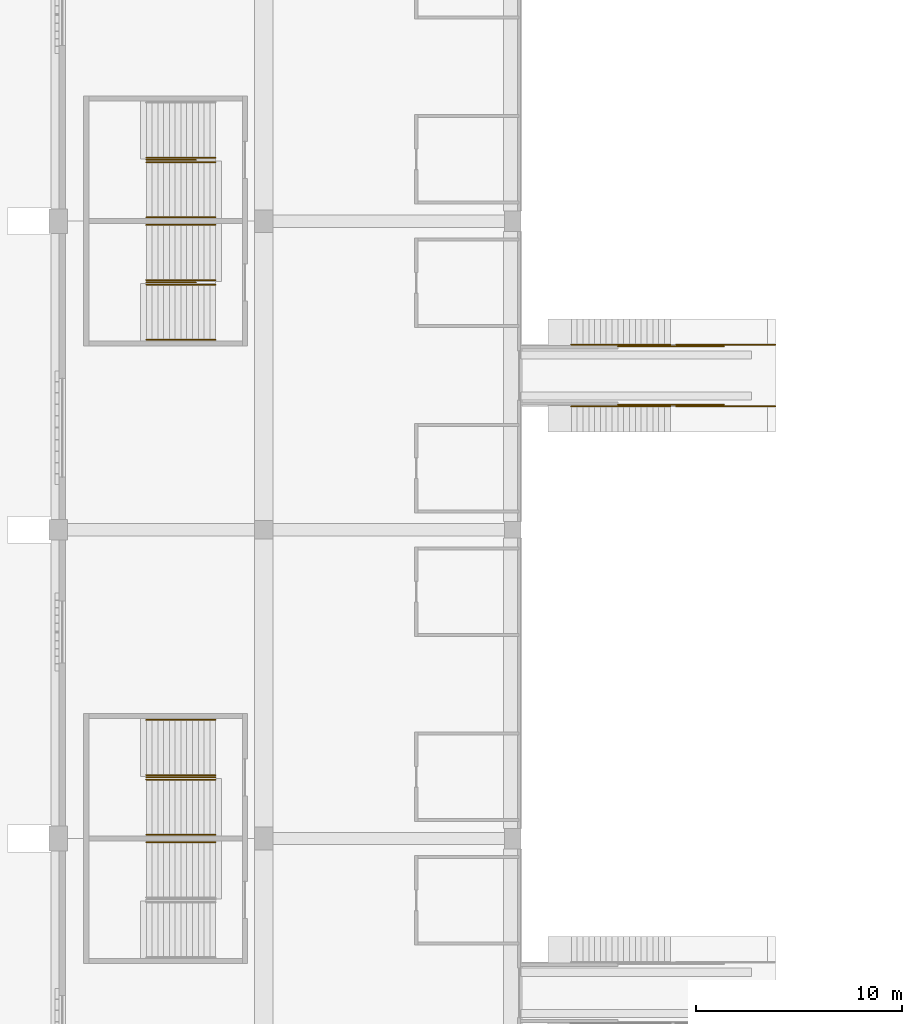
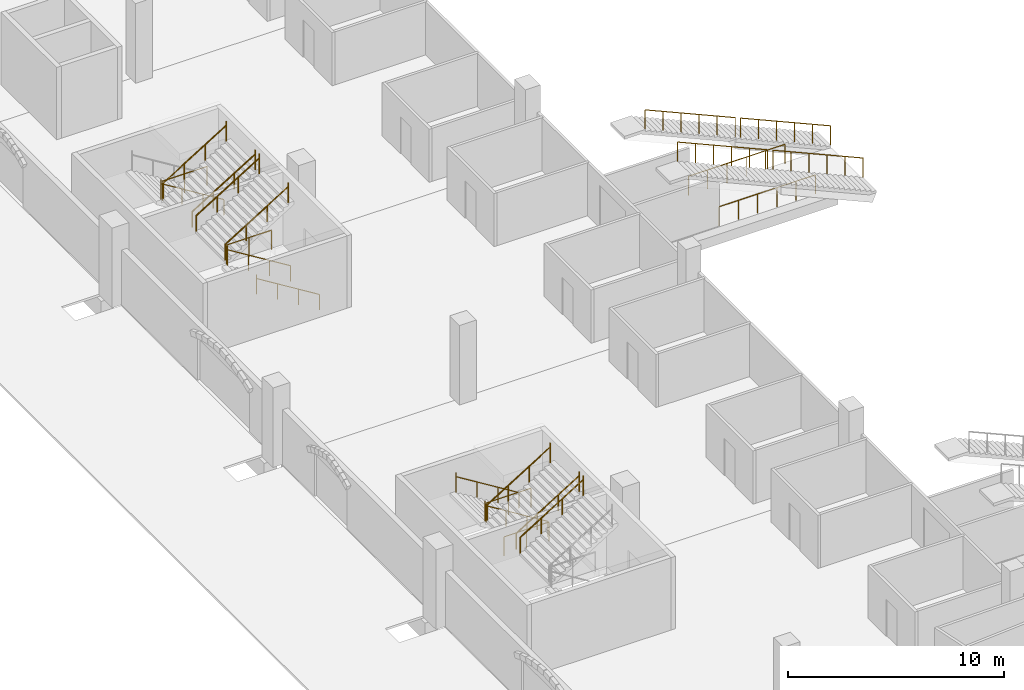
# One storey, part 157 of 175: 22 railings.
"""IFC4 building model written with IfcOpenShell, lengths in metres."""

from ifc_helpers import new_model, si_unit, direction, frame, origin, origin_2d, place, context, subcontext, project, spatial, circle, extrude, material, type_object, element, save


model = new_model("IFC4")

# Units and contexts
model_context = context("Model", 3, precision=1e-05, world=origin(), true_north=direction((0.0, 1.0)))
body_context = subcontext(model_context, "Body", "Model", "MODEL_VIEW")
ifc_project = project(units=[si_unit("LENGTHUNIT", "METRE"), si_unit("AREAUNIT", "SQUARE_METRE"), si_unit("VOLUMEUNIT", "CUBIC_METRE"), si_unit("PLANEANGLEUNIT", "RADIAN"), si_unit("MASSUNIT", "GRAM", prefix="KILO")], contexts=[model_context])

# Site, building, storey
site_placement = place(None, origin())
site = spatial("IfcSite", under=ifc_project, at=site_placement, CompositionType="ELEMENT")
building_placement = place(site_placement, origin())
building = spatial("IfcBuilding", under=site, at=building_placement, Name="Ogive Plaza Stadium", CompositionType="ELEMENT")
storey_placement = place(building_placement, origin())
storey = spatial("IfcBuildingStorey", under=building, at=storey_placement, Name="L00", CompositionType="ELEMENT", Elevation=0.0)

# Railings
ifc_material_1 = material(Name="Steel ASTM A572 Grade 50", Category="steel")
railing_type_1 = type_object("IfcRailingType", Name="Guard 1100", PredefinedType="GUARDRAIL", material=ifc_material_1)
for number, where, name in (
    (1, (-76.35009765625, -34.52490234375, 0.0), "Stair well guard ST22A L00"),
    (2, (-77.31005859375, -34.52490234375, 2.25), "Stair well guard ST22A L00"),
    (3, (-77.31005859375, -4.52490234375, 2.25), "Stair well guard ST24A L00"),
    (4, (-77.31005859375, -10.47509765625, 2.25), "Stair well guard ST24B L00"),
):
    element("IfcRailing", number, at=place(storey_placement, frame(where)), inside=storey, type_object=railing_type_1, Name=name, PredefinedType="GUARDRAIL", context=body_context, shape_type="SweptSolid", body=[
        extrude(circle(Radius=0.02392578125, at=origin_2d()), frame((0.0, 0.0, 1.076171875), z_axis=(-1.0, 0.0, 0.0), x_axis=(0.0, -1.0, 0.0)), (0.0, 0.0, 1.0), 2.39990234375),
        extrude(circle(Radius=0.02099609375, at=origin_2d()), origin(), (0.0, 0.0, 1.0), 1.052001953125),
        extrude(circle(Radius=0.02099609375, at=origin_2d()), frame((-1.199951171875, 0.0, 0.0)), (0.0, 0.0, 1.0), 1.052001953125),
        extrude(circle(Radius=0.02099609375, at=origin_2d()), frame((-2.39990234375, 0.0, 0.0)), (0.0, 0.0, 1.0), 1.052001953125),
    ])
for number, where, name in (
    (5, (-49.14990234375, -13.5, 0.125), "Vomitory guard B23"),
    (6, (-54.25, -13.5, 2.375), "Vomitory guard B23"),
    (7, (-49.14990234375, -16.5, 0.125), "Vomitory guard B23"),
    (8, (-54.25, -16.5, 2.375), "Vomitory guard B23"),
):
    element("IfcRailing", number, at=place(storey_placement, frame(where)), inside=storey, type_object=railing_type_1, Name=name, PredefinedType="GUARDRAIL", context=body_context, shape_type="SweptSolid", body=[
        extrude(circle(Radius=0.02392578125, at=origin_2d()), frame((0.0, 0.0, 1.076171875), z_axis=(-0.914917297869, 0.0, 0.403641348302), x_axis=(0.0, -1.0, 0.0)), (0.0, 0.0, 1.0), 5.2646484375),
        extrude(circle(Radius=0.02099609375, at=origin_2d()), origin(), (0.0, 0.0, 1.0), 1.052001953125),
        extrude(circle(Radius=0.02099609375, at=origin_2d()), frame((-0.96337890625, 0.0, 0.425048828125)), (0.0, 0.0, 1.0), 1.052001953125),
        extrude(circle(Radius=0.02099609375, at=origin_2d()), frame((-1.9267578125, 0.0, 0.85009765625)), (0.0, 0.0, 1.0), 1.052001953125),
        extrude(circle(Radius=0.02099609375, at=origin_2d()), frame((-2.889892578125, 0.0, 1.27490234375)), (0.0, 0.0, 1.0), 1.052001953125),
        extrude(circle(Radius=0.02099609375, at=origin_2d()), frame((-3.853271484375, 0.0, 1.699951171875)), (0.0, 0.0, 1.0), 1.052001953125),
        extrude(circle(Radius=0.02099609375, at=origin_2d()), frame((-4.816650390625, 0.0, 2.125)), (0.0, 0.0, 1.0), 1.052001953125),
    ])
for number, where, name in (
    (9, (-51.643310546875, -13.580078125, 0.0), "Vomitory edge guard B23"),
    (10, (-51.643310546875, -16.419921875, 0.0), "Vomitory edge guard B23"),
):
    element("IfcRailing", number, at=place(storey_placement, frame(where)), inside=storey, type_object=railing_type_1, Name=name, PredefinedType="GUARDRAIL", context=body_context, shape_type="SweptSolid", body=[
        extrude(circle(Radius=0.02392578125, at=origin_2d()), frame((0.0, 0.0, 1.076171875), z_axis=(-1.0, 0.0, 0.0), x_axis=(0.0, -1.0, 0.0)), (0.0, 0.0, 1.0), 5.15673828125),
        extrude(circle(Radius=0.02099609375, at=origin_2d()), origin(), (0.0, 0.0, 1.0), 1.052001953125),
        extrude(circle(Radius=0.02099609375, at=origin_2d()), frame((-1.03125, 0.0, 0.0)), (0.0, 0.0, 1.0), 1.052001953125),
        extrude(circle(Radius=0.02099609375, at=origin_2d()), frame((-2.062744140625, 0.0, 0.0)), (0.0, 0.0, 1.0), 1.052001953125),
        extrude(circle(Radius=0.02099609375, at=origin_2d()), frame((-3.093994140625, 0.0, 0.0)), (0.0, 0.0, 1.0), 1.052001953125),
        extrude(circle(Radius=0.02099609375, at=origin_2d()), frame((-4.12548828125, 0.0, 0.0)), (0.0, 0.0, 1.0), 1.052001953125),
        extrude(circle(Radius=0.02099609375, at=origin_2d()), frame((-5.15673828125, 0.0, 0.0)), (0.0, 0.0, 1.0), 1.052001953125),
    ])
ifc_material_2 = material(Name="Steel ASTM A572 Grade 50", Category="steel")
railing_type_2 = type_object("IfcRailingType", Name="Handrail 900", PredefinedType="HANDRAIL", material=ifc_material_2)
for number, where, name in (
    (11, (-76.35009765625, -31.735107421875, 0.173095703125), "Handrail ST22A L00"),
    (12, (-76.35009765625, -34.4150390625, 0.173095703125), "Handrail ST22A L00"),
):
    element("IfcRailing", number, at=place(storey_placement, frame(where)), inside=storey, type_object=railing_type_2, Name=name, PredefinedType="HANDRAIL", context=body_context, shape_type="SweptSolid", body=[
        extrude(circle(Radius=0.02392578125, at=origin_2d()), frame((0.0, 0.0, 0.8759765625), z_axis=(-0.850606129759, 0.0, 0.525803396734), x_axis=(0.0, -1.0, 0.0)), (0.0, 0.0, 1.0), 3.949951171875),
        extrude(circle(Radius=0.02099609375, at=origin_2d()), origin(), (0.0, 0.0, 1.0), 0.851806640625),
        extrude(circle(Radius=0.02099609375, at=origin_2d()), frame((-1.119873046875, 0.0, 0.6923828125)), (0.0, 0.0, 1.0), 0.851806640625),
        extrude(circle(Radius=0.02099609375, at=origin_2d()), frame((-2.239990234375, 0.0, 1.384521484375)), (0.0, 0.0, 1.0), 0.851806640625),
        extrude(circle(Radius=0.02099609375, at=origin_2d()), frame((-3.35986328125, 0.0, 2.076904296875)), (0.0, 0.0, 1.0), 1.10009765625),
    ])
for number, where, name in (
    (13, (-79.7099609375, -34.635009765625, 2.423095703125), "Handrail ST22A L00"),
    (14, (-79.7099609375, -37.31494140625, 2.423095703125), "Handrail ST22A L00"),
    (15, (-79.7099609375, -37.68505859375, 2.423095703125), "Handrail ST22B L00"),
):
    element("IfcRailing", number, at=place(storey_placement, frame(where)), inside=storey, type_object=railing_type_2, Name=name, PredefinedType="HANDRAIL", context=body_context, shape_type="SweptSolid", body=[
        extrude(circle(Radius=0.02392578125, at=origin_2d()), frame((0.0, 0.0, 0.8759765625), z_axis=(0.850606129759, 0.0, 0.525803396734), x_axis=(0.0, 1.0, 0.0)), (0.0, 0.0, 1.0), 3.949951171875),
        extrude(circle(Radius=0.02099609375, at=origin_2d()), origin(), (0.0, 0.0, 1.0), 0.851806640625),
        extrude(circle(Radius=0.02099609375, at=origin_2d()), frame((1.119873046875, 0.0, 0.6923828125)), (0.0, 0.0, 1.0), 0.851806640625),
        extrude(circle(Radius=0.02099609375, at=origin_2d()), frame((2.239990234375, 0.0, 1.384521484375)), (0.0, 0.0, 1.0), 0.851806640625),
        extrude(circle(Radius=0.02099609375, at=origin_2d()), frame((3.35986328125, 0.0, 2.076904296875)), (0.0, 0.0, 1.0), 1.10009765625),
    ])
railing_placement = place(storey_placement, frame((-76.35009765625, -4.4150390625, 0.173095703125)))
element("IfcRailing", 16, at=railing_placement, inside=storey, type_object=railing_type_2, Name="Handrail ST24A L00", PredefinedType="HANDRAIL", context=body_context, shape_type="SweptSolid", body=[
    extrude(circle(Radius=0.02392578125, at=origin_2d()), frame((0.0, 0.0, 0.8759765625), z_axis=(-0.850606129759, 0.0, 0.525803396734), x_axis=(0.0, -1.0, 0.0)), (0.0, 0.0, 1.0), 3.949951171875),
    extrude(circle(Radius=0.02099609375, at=origin_2d()), origin(), (0.0, 0.0, 1.0), 0.851806640625),
    extrude(circle(Radius=0.02099609375, at=origin_2d()), frame((-1.119873046875, 0.0, 0.6923828125)), (0.0, 0.0, 1.0), 0.851806640625),
    extrude(circle(Radius=0.02099609375, at=origin_2d()), frame((-2.239990234375, 0.0, 1.384521484375)), (0.0, 0.0, 1.0), 0.851806640625),
    extrude(circle(Radius=0.02099609375, at=origin_2d()), frame((-3.35986328125, 0.0, 2.076904296875)), (0.0, 0.0, 1.0), 1.10009765625),
])
for number, where, name in (
    (17, (-79.7099609375, -4.635009765625, 2.423095703125), "Handrail ST24A L00"),
    (18, (-79.7099609375, -7.31494140625, 2.423095703125), "Handrail ST24A L00"),
):
    element("IfcRailing", number, at=place(storey_placement, frame(where)), inside=storey, type_object=railing_type_2, Name=name, PredefinedType="HANDRAIL", context=body_context, shape_type="SweptSolid", body=[
        extrude(circle(Radius=0.02392578125, at=origin_2d()), frame((0.0, 0.0, 0.8759765625), z_axis=(0.850606129759, 0.0, 0.525803396734), x_axis=(0.0, 1.0, 0.0)), (0.0, 0.0, 1.0), 3.949951171875),
        extrude(circle(Radius=0.02099609375, at=origin_2d()), origin(), (0.0, 0.0, 1.0), 0.851806640625),
        extrude(circle(Radius=0.02099609375, at=origin_2d()), frame((1.119873046875, 0.0, 0.6923828125)), (0.0, 0.0, 1.0), 0.851806640625),
        extrude(circle(Radius=0.02099609375, at=origin_2d()), frame((2.239990234375, 0.0, 1.384521484375)), (0.0, 0.0, 1.0), 0.851806640625),
        extrude(circle(Radius=0.02099609375, at=origin_2d()), frame((3.35986328125, 0.0, 2.076904296875)), (0.0, 0.0, 1.0), 1.10009765625),
    ])
for number, where, name in (
    (19, (-76.35009765625, -10.5849609375, 0.173095703125), "Handrail ST24B L00"),
    (20, (-76.35009765625, -13.264892578125, 0.173095703125), "Handrail ST24B L00"),
):
    element("IfcRailing", number, at=place(storey_placement, frame(where)), inside=storey, type_object=railing_type_2, Name=name, PredefinedType="HANDRAIL", context=body_context, shape_type="SweptSolid", body=[
        extrude(circle(Radius=0.02392578125, at=origin_2d()), frame((0.0, 0.0, 0.8759765625), z_axis=(-0.850606129759, 0.0, 0.525803396734), x_axis=(0.0, -1.0, 0.0)), (0.0, 0.0, 1.0), 3.949951171875),
        extrude(circle(Radius=0.02099609375, at=origin_2d()), origin(), (0.0, 0.0, 1.0), 0.851806640625),
        extrude(circle(Radius=0.02099609375, at=origin_2d()), frame((-1.119873046875, 0.0, 0.6923828125)), (0.0, 0.0, 1.0), 0.851806640625),
        extrude(circle(Radius=0.02099609375, at=origin_2d()), frame((-2.239990234375, 0.0, 1.384521484375)), (0.0, 0.0, 1.0), 0.851806640625),
        extrude(circle(Radius=0.02099609375, at=origin_2d()), frame((-3.35986328125, 0.0, 2.076904296875)), (0.0, 0.0, 1.0), 1.10009765625),
    ])
for number, where, name in (
    (21, (-79.7099609375, -7.68505859375, 2.423095703125), "Handrail ST24B L00"),
    (22, (-79.7099609375, -10.364990234375, 2.423095703125), "Handrail ST24B L00"),
):
    element("IfcRailing", number, at=place(storey_placement, frame(where)), inside=storey, type_object=railing_type_2, Name=name, PredefinedType="HANDRAIL", context=body_context, shape_type="SweptSolid", body=[
        extrude(circle(Radius=0.02392578125, at=origin_2d()), frame((0.0, 0.0, 0.8759765625), z_axis=(0.850606129759, 0.0, 0.525803396734), x_axis=(0.0, 1.0, 0.0)), (0.0, 0.0, 1.0), 3.949951171875),
        extrude(circle(Radius=0.02099609375, at=origin_2d()), origin(), (0.0, 0.0, 1.0), 0.851806640625),
        extrude(circle(Radius=0.02099609375, at=origin_2d()), frame((1.119873046875, 0.0, 0.6923828125)), (0.0, 0.0, 1.0), 0.851806640625),
        extrude(circle(Radius=0.02099609375, at=origin_2d()), frame((2.239990234375, 0.0, 1.384521484375)), (0.0, 0.0, 1.0), 0.851806640625),
        extrude(circle(Radius=0.02099609375, at=origin_2d()), frame((3.35986328125, 0.0, 2.076904296875)), (0.0, 0.0, 1.0), 1.10009765625),
    ])

save(model, "model.ifc")
